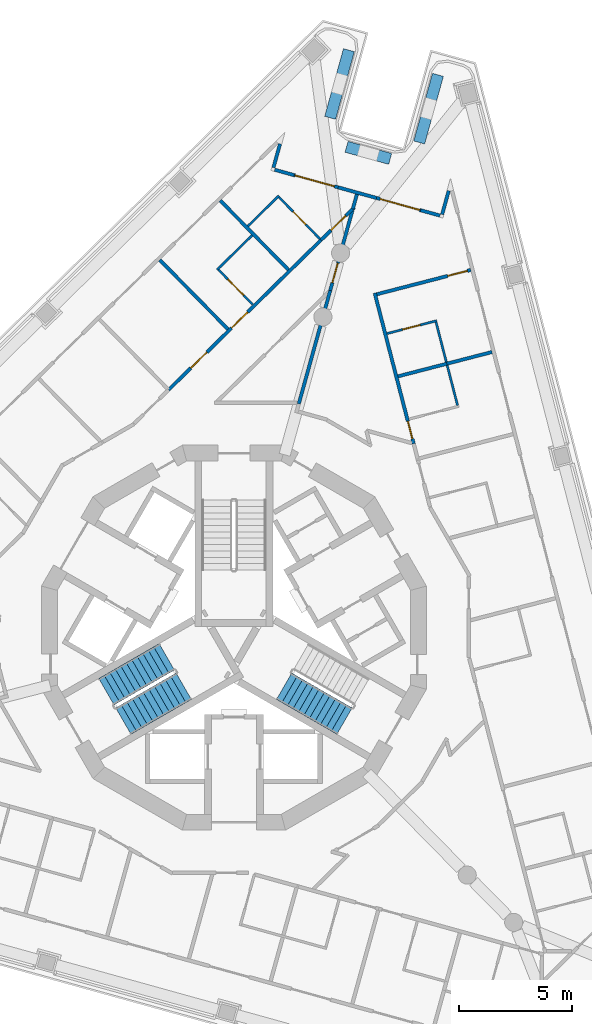
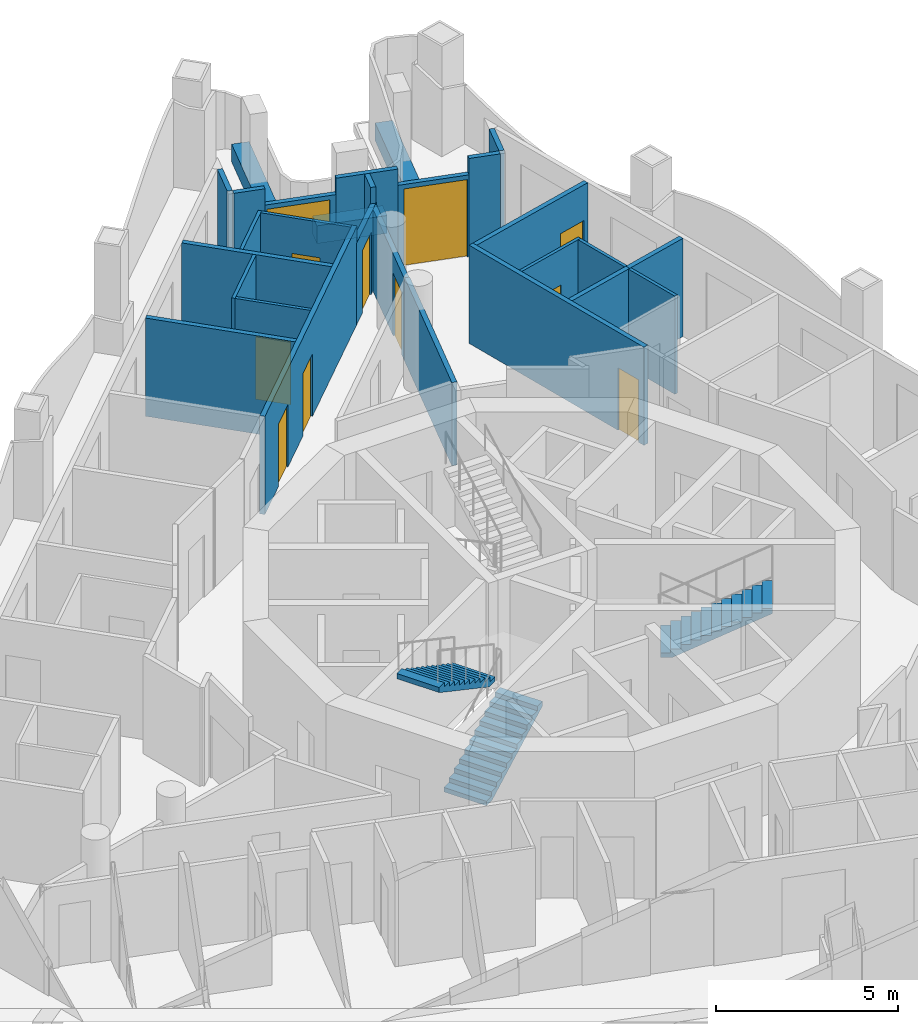
# One storey, part 8 of 15: 28 walls, 11 doors, 3 stair flights, 11 openings, 2 elements without a shape of their own.
"""IFC4 building model written with IfcOpenShell, lengths in metres."""

from ifc_helpers import new_model, si_unit, direction, frame, frame_2d, origin, place, context, subcontext, project, spatial, polyline, rectangle, outline, extrude, material, layer, layer_set, type_object, element, fill, aggregate, save


model = new_model("IFC4")

# Units and contexts
model_context = context("Model", 3, precision=1e-05, world=origin(), true_north=direction((0.0, 1.0)))
body_context = subcontext(model_context, "Body", "Model", "MODEL_VIEW")
ifc_project = project(units=[si_unit("LENGTHUNIT", "METRE"), si_unit("AREAUNIT", "SQUARE_METRE"), si_unit("VOLUMEUNIT", "CUBIC_METRE"), si_unit("PLANEANGLEUNIT", "RADIAN"), si_unit("MASSUNIT", "GRAM", prefix="KILO")], contexts=[model_context])

# Site, building, storey
site_placement = place(None, origin())
site = spatial("IfcSite", under=ifc_project, at=site_placement, CompositionType="ELEMENT")
building_placement = place(site_placement, origin())
building = spatial("IfcBuilding", under=site, at=building_placement, Name="Trine Commons Tower", CompositionType="ELEMENT")
storey_placement = place(building_placement, frame((0.0, 0.0, 256.5)))
storey = spatial("IfcBuildingStorey", under=building, at=storey_placement, Name="L67", CompositionType="ELEMENT", Elevation=256.5)

# Walls
ifc_material_1 = material(Name="Aluminium-framed insulated wall panel", Category="aluminium")
ifc_layer_1 = layer(ifc_material_1, 0.14990234375)
ifc_layer_set_1 = layer_set([ifc_layer_1], Name="Aluminium-framed insulated wall panel")
wall_type_1 = type_object("IfcWallType", Name="Glazed frame wall 150, EI 60", PredefinedType="SOLIDWALL", material=ifc_layer_set_1)
wall_1_placement = place(storey_placement, frame((82.07470703125, 84.444091796875, 0.0), z_axis=(0.0, 0.0, 1.0), x_axis=(-0.267185113528, -0.963645222636, 0.0)))
element("IfcWall", 1, at=wall_1_placement, inside=storey, type_object=wall_type_1, Name="Glazed frame wall R2", PredefinedType="SOLIDWALL", context=body_context, shape_type="SweptSolid", body=[
    extrude(outline(polyline([(0.1494140625, 0.074951171875), (0.1494140625, -0.074951171875), (1.235107421875, -0.074951171875), (1.235107421875, 0.074951171875), (0.1494140625, 0.074951171875)])), origin(), (0.0, 0.0, 1.0), 3.300048828125),
])
wall_2_placement = place(storey_placement, frame((81.69091796875, 83.19091796875, 0.0), z_axis=(0.0, 0.0, 1.0), x_axis=(0.963668166343, -0.267102349627, 0.0)))
element("IfcWall", 2, at=wall_2_placement, inside=storey, type_object=wall_type_1, Name="Glazed frame wall P1.1", PredefinedType="SOLIDWALL", context=body_context, shape_type="SweptSolid", body=[
    extrude(outline(polyline([(0.110107421875, -0.074951171875), (1.0, -0.074951171875), (1.0, 0.074951171875), (0.110107421875, 0.074951171875), (0.110107421875, -0.074951171875)])), origin(), (0.0, 0.0, 1.0), 3.300048828125),
])

# Wall, opening, door
wall_3_placement = place(storey_placement, frame((82.654541015625, 82.923828125, 0.0), z_axis=(0.0, 0.0, 1.0), x_axis=(0.963623378646, -0.267263884816, 0.0)))
wall_3 = element("IfcWall", 3, at=wall_3_placement, inside=storey, type_object=wall_type_1, Name="Glazed frame wall P1.2", PredefinedType="SOLIDWALL", context=body_context, shape_type="SweptSolid", body=[
    extrude(outline(polyline([(0.0, -0.074951171875), (2.021484375, -0.074951171875), (2.021484375, 0.074951171875), (0.0, 0.074951171875), (0.0, -0.074951171875)])), origin(), (0.0, 0.0, 1.0), 2.75),
])
opening_1_placement = place(wall_3_placement, frame((0.050048828125, 0.0, 0.0)))
opening_1 = element("IfcOpeningElement", 4, at=opening_1_placement, cuts=wall_3, Name="Opening BD-7P1-01", PredefinedType="OPENING", context=body_context, shape_type="SweptSolid", body=[
    extrude(rectangle(XDim=1.800048828125, YDim=2.60009765625, at=frame_2d((0.89990234375, 1.300048828125))), frame((0.0, 0.0849609375, 0.0), z_axis=(0.0, -1.0, 0.0), x_axis=(1.0, 0.0, 0.0)), (0.0, 0.0, 1.0), 0.169921875),
])
ifc_material_2 = material(Name="Anodised aluminium frame with double glazing", Category="aluminium")
door_type_1 = type_object("IfcDoorType", Name="Sliding loggia door 1800x2600", OperationType="SLIDING_TO_LEFT", PredefinedType="DOOR", material=ifc_material_2)
door_1_placement = place(opening_1_placement, origin())
door_1 = element("IfcDoor", 5, at=door_1_placement, inside=storey, type_object=door_type_1, Name="Loggia door P1 1", OperationType="SLIDING_TO_LEFT", OverallHeight=2.60009765625, OverallWidth=1.800048828125, PredefinedType="DOOR", context=body_context, shape_type="SweptSolid", body=[
    extrude(rectangle(XDim=1.800048828125, YDim=2.60009765625, at=frame_2d((0.89990234375, 1.300048828125))), frame((0.0, 0.02490234375, 0.0), z_axis=(0.0, -1.0, 0.0), x_axis=(1.0, 0.0, 0.0)), (0.0, 0.0, 1.0), 0.050048828125),
])
fill(opening_1, door_1)

# Wall
wall_4_placement = place(storey_placement, frame((84.6025390625, 82.383544921875, 0.0), z_axis=(0.0, 0.0, 1.0), x_axis=(0.963649164221, -0.267170897174, 0.0)))
element("IfcWall", 6, at=wall_4_placement, inside=storey, type_object=wall_type_1, Name="Glazed frame wall P1.3", PredefinedType="SOLIDWALL", context=body_context, shape_type="SweptSolid", body=[
    extrude(outline(polyline([(0.0, -0.074951171875), (1.757080078125, -0.074951171875), (1.757080078125, 0.074951171875), (0.0, 0.074951171875), (0.0, -0.074951171875)])), origin(), (0.0, 0.0, 1.0), 3.300048828125),
])

# Wall, opening, door
wall_5_placement = place(storey_placement, frame((86.2958984375, 81.9140625, 0.0), z_axis=(0.0, 0.0, 1.0), x_axis=(0.963614750545, -0.267294991596, 0.0)))
wall_5 = element("IfcWall", 7, at=wall_5_placement, inside=storey, type_object=wall_type_1, Name="Glazed frame wall P1.4", PredefinedType="SOLIDWALL", context=body_context, shape_type="SweptSolid", body=[
    extrude(outline(polyline([(0.0, -0.074951171875), (2.021484375, -0.074951171875), (2.021484375, 0.074951171875), (0.0, 0.074951171875), (0.0, -0.074951171875)])), origin(), (0.0, 0.0, 1.0), 2.75),
])
opening_2_placement = place(wall_5_placement, frame((0.17138671875, 0.0, 0.0)))
opening_2 = element("IfcOpeningElement", 8, at=opening_2_placement, cuts=wall_5, Name="Opening BD-7P1-02", PredefinedType="OPENING", context=body_context, shape_type="SweptSolid", body=[
    extrude(rectangle(XDim=1.800048828125, YDim=2.60009765625, at=frame_2d((0.89990234375, 1.300048828125))), frame((0.0, 0.0849609375, 0.0), z_axis=(0.0, -1.0, 0.0), x_axis=(1.0, 0.0, 0.0)), (0.0, 0.0, 1.0), 0.169921875),
])
door_2_placement = place(opening_2_placement, origin())
door_2 = element("IfcDoor", 9, at=door_2_placement, inside=storey, type_object=door_type_1, Name="Loggia door P1 2", OperationType="SLIDING_TO_LEFT", OverallHeight=2.60009765625, OverallWidth=1.800048828125, PredefinedType="DOOR", context=body_context, shape_type="SweptSolid", body=[
    extrude(rectangle(XDim=1.800048828125, YDim=2.60009765625, at=frame_2d((0.89990234375, 1.300048828125))), frame((0.0, 0.02490234375, 0.0), z_axis=(0.0, -1.0, 0.0), x_axis=(1.0, 0.0, 0.0)), (0.0, 0.0, 1.0), 0.050048828125),
])
fill(opening_2, door_2)

# Walls
wall_6_placement = place(storey_placement, frame((88.24365234375, 81.373779296875, 0.0), z_axis=(0.0, 0.0, 1.0), x_axis=(0.963668166343, -0.267102349627, 0.0)))
element("IfcWall", 10, at=wall_6_placement, inside=storey, type_object=wall_type_1, Name="Glazed frame wall P1.5", PredefinedType="SOLIDWALL", context=body_context, shape_type="SweptSolid", body=[
    extrude(outline(polyline([(0.889892578125, 0.074951171875), (0.0, 0.074951171875), (0.0, -0.074951171875), (0.889892578125, -0.074951171875), (0.889892578125, 0.074951171875)])), origin(), (0.0, 0.0, 1.0), 3.300048828125),
])
wall_7_placement = place(storey_placement, frame((89.164306640625, 81.082275390625, 0.0), z_axis=(0.0, 0.0, 1.0), x_axis=(0.267185113528, 0.963645222636, 0.0)))
element("IfcWall", 11, at=wall_7_placement, inside=storey, type_object=wall_type_1, Name="Glazed frame wall R4", PredefinedType="SOLIDWALL", context=body_context, shape_type="SweptSolid", body=[
    extrude(outline(polyline([(0.110107421875, 0.074951171875), (0.110107421875, -0.074951171875), (1.19580078125, -0.074951171875), (1.19580078125, 0.074951171875), (0.110107421875, 0.074951171875)])), origin(), (0.0, 0.0, 1.0), 3.300048828125),
])
ifc_material_3 = material(Name="Planter trough, precast concrete C40/50", Category="concrete")
ifc_layer_2 = layer(ifc_material_3, 0.5)
ifc_layer_set_2 = layer_set([ifc_layer_2], Name="Planter trough, precast concrete C40/50")
wall_type_2 = type_object("IfcWallType", Name="Planter trough 500x600", PredefinedType="PARAPET", material=ifc_layer_set_2)
wall_8_placement = place(storey_placement, frame((85.077392578125, 88.44189453125, 0.0), z_axis=(0.0, 0.0, 1.0), x_axis=(-0.267286412249, -0.96361713031, 0.0)))
element("IfcWall", 12, at=wall_8_placement, inside=storey, type_object=wall_type_2, Name="Planter 4", PredefinedType="PARAPET", context=body_context, shape_type="SweptSolid", body=[
    extrude(rectangle(XDim=3.10009765625, YDim=0.5, at=frame_2d((1.550048828125, 0.0))), origin(), (0.0, 0.0, 1.0), 0.60009765625),
])
wall_9_placement = place(storey_placement, frame((84.97314453125, 84.174560546875, 0.0), z_axis=(0.0, 0.0, 1.0), x_axis=(0.963636738571, -0.267215710759, 0.0)))
element("IfcWall", 13, at=wall_9_placement, inside=storey, type_object=wall_type_2, Name="Planter 5", PredefinedType="PARAPET", context=body_context, shape_type="SweptSolid", body=[
    extrude(rectangle(XDim=2.0, YDim=0.5, at=frame_2d((1.0, 0.0))), origin(), (0.0, 0.0, 1.0), 0.60009765625),
])
wall_10_placement = place(storey_placement, frame((88.1806640625, 84.364501953125, 0.0), z_axis=(0.0, 0.0, 1.0), x_axis=(0.267213283561, 0.963637411628, 0.0)))
element("IfcWall", 14, at=wall_10_placement, inside=storey, type_object=wall_type_2, Name="Planter 6", PredefinedType="PARAPET", context=body_context, shape_type="SweptSolid", body=[
    extrude(rectangle(XDim=3.10009765625, YDim=0.5, at=frame_2d((1.550048828125, 0.0))), origin(), (0.0, 0.0, 1.0), 0.60009765625),
])
ifc_material_4 = material(Name="Gypsum plasterboard on steel stud", Category="steel")
ifc_layer_3 = layer(ifc_material_4, 0.14990234375)
ifc_layer_set_3 = layer_set([ifc_layer_3], Name="Gypsum plasterboard on steel stud")
wall_type_3 = type_object("IfcWallType", Name="Unit and corridor wall 150 mm, EI 60", PredefinedType="PARTITIONING", material=ifc_layer_set_3)
wall_11_placement = place(storey_placement, frame((76.72998046875, 79.177490234375, 0.0), z_axis=(0.0, 0.0, 1.0), x_axis=(0.70095501421, -0.713205487958, 0.0)))
element("IfcWall", 15, at=wall_11_placement, inside=storey, type_object=wall_type_3, Name="Partition 049", PredefinedType="PARTITIONING", context=body_context, shape_type="SweptSolid", body=[
    extrude(rectangle(XDim=4.28466796875, YDim=0.14990234375, at=frame_2d((2.142333984375, 0.0))), origin(), (0.0, 0.0, 1.0), 3.300048828125),
])

# Wall, openings, doors
wall_12_placement = place(storey_placement, frame((77.114013671875, 73.44189453125, 0.0), z_axis=(0.0, 0.0, 1.0), x_axis=(0.713226576119, 0.70093355685, 0.0)))
wall_12 = element("IfcWall", 16, at=wall_12_placement, inside=storey, type_object=wall_type_3, Name="Partition 050", PredefinedType="PARTITIONING", context=body_context, shape_type="SweptSolid", body=[
    extrude(rectangle(XDim=9.4931640625, YDim=0.14990234375, at=frame_2d((4.74658203125, 0.0))), origin(), (0.0, 0.0, 1.0), 3.300048828125),
])
opening_3_placement = place(wall_12_placement, frame((1.375, 0.0, 0.0)))
opening_3 = element("IfcOpeningElement", 17, at=opening_3_placement, cuts=wall_12, Name="Opening D-7C08", PredefinedType="OPENING", context=body_context, shape_type="SweptSolid", body=[
    extrude(rectangle(XDim=1.0, YDim=2.10009765625, at=frame_2d((0.5, 1.050048828125))), frame((0.0, 0.0849609375, 0.0), z_axis=(0.0, -1.0, 0.0), x_axis=(1.0, 0.0, 0.0)), (0.0, 0.0, 1.0), 0.169921875),
])
opening_4_placement = place(wall_12_placement, frame((3.896484375, 0.0, 0.0)))
opening_4 = element("IfcOpeningElement", 18, at=opening_4_placement, cuts=wall_12, Name="Opening D-7C09", PredefinedType="OPENING", context=body_context, shape_type="SweptSolid", body=[
    extrude(rectangle(XDim=1.0, YDim=2.10009765625, at=frame_2d((0.5, 1.050048828125))), frame((0.0, 0.0849609375, 0.0), z_axis=(0.0, -1.0, 0.0), x_axis=(1.0, 0.0, 0.0)), (0.0, 0.0, 1.0), 0.169921875),
])
ifc_material_5 = material(Name="Painted timber", Category="wood")
door_type_2 = type_object("IfcDoorType", Name="Amenity room door 1000 x 2100, NOT RATED", OperationType="NOTDEFINED", PredefinedType="DOOR", material=ifc_material_5)
door_3_placement = place(opening_3_placement, origin())
door_3 = element("IfcDoor", 19, at=door_3_placement, inside=storey, type_object=door_type_2, Name="Door D-7C08", OperationType="SINGLE_SWING_LEFT", OverallHeight=2.10009765625, OverallWidth=1.0, PredefinedType="DOOR", context=body_context, shape_type="SweptSolid", body=[
    extrude(rectangle(XDim=1.0, YDim=2.10009765625, at=frame_2d((0.5, 1.050048828125))), frame((0.0, 0.02490234375, 0.0), z_axis=(0.0, -1.0, 0.0), x_axis=(1.0, 0.0, 0.0)), (0.0, 0.0, 1.0), 0.050048828125),
])
fill(opening_3, door_3)
ifc_material_6 = material(Name="Timber fire door set", Category="wood")
door_type_3 = type_object("IfcDoorType", Name="Bedroom door 1000 x 2100, FD30S", OperationType="NOTDEFINED", PredefinedType="DOOR", material=ifc_material_6)
door_4_placement = place(opening_4_placement, origin())
door_4 = element("IfcDoor", 20, at=door_4_placement, inside=storey, type_object=door_type_3, Name="Door D-7C09", OperationType="SINGLE_SWING_LEFT", OverallHeight=2.10009765625, OverallWidth=1.0, PredefinedType="DOOR", context=body_context, shape_type="SweptSolid", body=[
    extrude(rectangle(XDim=1.0, YDim=2.10009765625, at=frame_2d((0.5, 1.050048828125))), frame((0.0, 0.02490234375, 0.0), z_axis=(0.0, -1.0, 0.0), x_axis=(1.0, 0.0, 0.0)), (0.0, 0.0, 1.0), 0.050048828125),
])
fill(opening_4, door_4)

# Walls
wall_13_placement = place(storey_placement, frame((79.39892578125, 81.801513671875, 0.0), z_axis=(0.0, 0.0, 1.0), x_axis=(0.70095501421, -0.713205487958, 0.0)))
element("IfcWall", 21, at=wall_13_placement, inside=storey, type_object=wall_type_3, Name="Partition 057", PredefinedType="PARTITIONING", context=body_context, shape_type="SweptSolid", body=[
    extrude(rectangle(XDim=4.28466796875, YDim=0.14990234375, at=frame_2d((2.142333984375, 0.0))), origin(), (0.0, 0.0, 1.0), 3.300048828125),
])
wall_14_placement = place(storey_placement, frame((82.863037109375, 72.822998046875, 0.0), z_axis=(0.0, 0.0, 1.0), x_axis=(0.267297315726, 0.963614105857, 0.0)))
element("IfcWall", 22, at=wall_14_placement, inside=storey, type_object=wall_type_3, Name="Partition 068", PredefinedType="PARTITIONING", context=body_context, shape_type="SweptSolid", body=[
    extrude(rectangle(XDim=5.196044921875, YDim=0.14990234375, at=frame_2d((2.59814453125, 0.0))), origin(), (0.0, 0.0, 1.0), 2.800048828125),
])

# Wall, opening, door
wall_15_placement = place(storey_placement, frame((83.843017578125, 80.054931640625, 0.0), z_axis=(0.0, 0.0, 1.0), x_axis=(0.713089099399, 0.70107341721, 0.0)))
wall_15 = element("IfcWall", 23, at=wall_15_placement, inside=storey, type_object=wall_type_3, Name="Partition 070", PredefinedType="PARTITIONING", context=body_context, shape_type="SweptSolid", body=[
    extrude(rectangle(XDim=2.05224609375, YDim=0.14990234375, at=frame_2d((1.026123046875, 0.0))), origin(), (0.0, 0.0, 1.0), 2.75),
])
opening_5_placement = place(wall_15_placement, frame((0.627685546875, 0.0, 0.0)))
opening_5 = element("IfcOpeningElement", 24, at=opening_5_placement, cuts=wall_15, Name="Opening D-7C10", PredefinedType="OPENING", context=body_context, shape_type="SweptSolid", body=[
    extrude(rectangle(XDim=0.89990234375, YDim=2.10009765625, at=frame_2d((0.449951171875, 1.050048828125))), frame((0.0, 0.0849609375, 0.0), z_axis=(0.0, -1.0, 0.0), x_axis=(1.0, 0.0, 0.0)), (0.0, 0.0, 1.0), 0.169921875),
])
door_type_4 = type_object("IfcDoorType", Name="Bedroom door 900 x 2100, FD30S", OperationType="NOTDEFINED", PredefinedType="DOOR", material=ifc_material_6)
door_5_placement = place(opening_5_placement, origin())
door_5 = element("IfcDoor", 25, at=door_5_placement, inside=storey, type_object=door_type_4, Name="Door D-7C10", OperationType="SINGLE_SWING_RIGHT", OverallHeight=2.10009765625, OverallWidth=0.89990234375, PredefinedType="DOOR", context=body_context, shape_type="SweptSolid", body=[
    extrude(rectangle(XDim=0.89990234375, YDim=2.10009765625, at=frame_2d((0.449951171875, 1.050048828125))), frame((0.0, 0.02490234375, 0.0), z_axis=(0.0, -1.0, 0.0), x_axis=(1.0, 0.0, 0.0)), (0.0, 0.0, 1.0), 0.050048828125),
])
fill(opening_5, door_5)

wall_16_placement = place(storey_placement, frame((84.25, 77.826904296875, 0.0), z_axis=(0.0, 0.0, 1.0), x_axis=(0.267414329718, 0.963581639645, 0.0)))
wall_16 = element("IfcWall", 26, at=wall_16_placement, inside=storey, type_object=wall_type_3, Name="Partition 073", PredefinedType="PARTITIONING", context=body_context, shape_type="SweptSolid", body=[
    extrude(rectangle(XDim=3.675537109375, YDim=0.14990234375, at=frame_2d((1.837890625, 0.0))), origin(), (0.0, 0.0, 1.0), 2.75),
])
opening_6_placement = place(wall_16_placement, frame((0.357421875, 0.0, 0.0)))
opening_6 = element("IfcOpeningElement", 27, at=opening_6_placement, cuts=wall_16, Name="Opening D-7C01", PredefinedType="OPENING", context=body_context, shape_type="SweptSolid", body=[
    extrude(rectangle(XDim=0.89990234375, YDim=2.10009765625, at=frame_2d((0.449951171875, 1.050048828125))), frame((0.0, 0.0849609375, 0.0), z_axis=(0.0, -1.0, 0.0), x_axis=(1.0, 0.0, 0.0)), (0.0, 0.0, 1.0), 0.169921875),
])
door_type_5 = type_object("IfcDoorType", Name="Cluster entrance door 900 x 2100, FD30S", OperationType="NOTDEFINED", PredefinedType="DOOR", material=ifc_material_6)
door_6_placement = place(opening_6_placement, frame((0.89990234375, 0.0, 0.0), z_axis=(0.0, 0.0, 1.0), x_axis=(-1.0, 0.0, 0.0)))
door_6 = element("IfcDoor", 28, at=door_6_placement, inside=storey, type_object=door_type_5, Name="Door D-7C01", OperationType="SINGLE_SWING_RIGHT", OverallHeight=2.10009765625, OverallWidth=0.89990234375, PredefinedType="DOOR", context=body_context, shape_type="SweptSolid", body=[
    extrude(rectangle(XDim=0.89990234375, YDim=2.10009765625, at=frame_2d((0.449951171875, 1.050048828125))), frame((0.0, 0.02490234375, 0.0), z_axis=(0.0, -1.0, 0.0), x_axis=(1.0, 0.0, 0.0)), (0.0, 0.0, 1.0), 0.050048828125),
])
fill(opening_6, door_6)

# Wall
wall_17_placement = place(storey_placement, frame((85.25, 81.429931640625, 0.0), z_axis=(0.0, 0.0, 1.0), x_axis=(0.267118275652, 0.963663751945, 0.0)))
element("IfcWall", 29, at=wall_17_placement, inside=storey, type_object=wall_type_3, Name="Partition 078", PredefinedType="PARTITIONING", context=body_context, shape_type="SweptSolid", body=[
    extrude(rectangle(XDim=0.6708984375, YDim=0.14990234375, at=frame_2d((0.33544921875, 0.0))), origin(), (0.0, 0.0, 1.0), 3.300048828125),
])

# Wall, opening, door
wall_18_placement = place(storey_placement, frame((86.21630859375, 77.716552734375, 0.0), z_axis=(0.0, 0.0, 1.0), x_axis=(0.250346637717, -0.968156268886, 0.0)))
wall_18 = element("IfcWall", 30, at=wall_18_placement, inside=storey, type_object=wall_type_3, Name="Partition 081", PredefinedType="PARTITIONING", context=body_context, shape_type="SweptSolid", body=[
    extrude(rectangle(XDim=6.869384765625, YDim=0.14990234375, at=frame_2d((3.4345703125, 0.0))), origin(), (0.0, 0.0, 1.0), 3.300048828125),
])
opening_7_placement = place(wall_18_placement, frame((5.84814453125, 0.0, 0.0)))
opening_7 = element("IfcOpeningElement", 31, at=opening_7_placement, cuts=wall_18, Name="Opening D-7C12", PredefinedType="OPENING", context=body_context, shape_type="SweptSolid", body=[
    extrude(rectangle(XDim=0.800048828125, YDim=2.10009765625, at=frame_2d((0.39990234375, 1.050048828125))), frame((0.0, 0.0849609375, 0.0), z_axis=(0.0, -1.0, 0.0), x_axis=(1.0, 0.0, 0.0)), (0.0, 0.0, 1.0), 0.169921875),
])
door_type_6 = type_object("IfcDoorType", Name="Bedroom door 800 x 2100, FD30S", OperationType="NOTDEFINED", PredefinedType="DOOR", material=ifc_material_6)
door_7_placement = place(opening_7_placement, origin())
door_7 = element("IfcDoor", 32, at=door_7_placement, inside=storey, type_object=door_type_6, Name="Door D-7C12", OperationType="SINGLE_SWING_RIGHT", OverallHeight=2.10009765625, OverallWidth=0.800048828125, PredefinedType="DOOR", context=body_context, shape_type="SweptSolid", body=[
    extrude(rectangle(XDim=0.800048828125, YDim=2.10009765625, at=frame_2d((0.39990234375, 1.050048828125))), frame((0.0, 0.02490234375, 0.0), z_axis=(0.0, -1.0, 0.0), x_axis=(1.0, 0.0, 0.0)), (0.0, 0.0, 1.0), 0.050048828125),
])
fill(opening_7, door_7)

wall_19_placement = place(storey_placement, frame((86.3076171875, 77.662841796875, 0.0), z_axis=(0.0, 0.0, 1.0), x_axis=(0.96817048695, 0.250291646282, 0.0)))
wall_19 = element("IfcWall", 33, at=wall_19_placement, inside=storey, type_object=wall_type_3, Name="Partition 082", PredefinedType="PARTITIONING", context=body_context, shape_type="SweptSolid", body=[
    extrude(rectangle(XDim=4.2841796875, YDim=0.14990234375, at=frame_2d((2.14208984375, 0.0))), origin(), (0.0, 0.0, 1.0), 3.300048828125),
])
opening_8_placement = place(wall_19_placement, frame((3.23388671875, 0.0, 0.0)))
opening_8 = element("IfcOpeningElement", 34, at=opening_8_placement, cuts=wall_19, Name="Opening D-7C11", PredefinedType="OPENING", context=body_context, shape_type="SweptSolid", body=[
    extrude(rectangle(XDim=0.89990234375, YDim=2.10009765625, at=frame_2d((0.449951171875, 1.050048828125))), frame((0.0, 0.0849609375, 0.0), z_axis=(0.0, -1.0, 0.0), x_axis=(1.0, 0.0, 0.0)), (0.0, 0.0, 1.0), 0.169921875),
])
door_8_placement = place(opening_8_placement, frame((0.89990234375, 0.0, 0.0), z_axis=(0.0, 0.0, 1.0), x_axis=(-1.0, 0.0, 0.0)))
door_8 = element("IfcDoor", 35, at=door_8_placement, inside=storey, type_object=door_type_4, Name="Door D-7C11", OperationType="SINGLE_SWING_LEFT", OverallHeight=2.10009765625, OverallWidth=0.89990234375, PredefinedType="DOOR", context=body_context, shape_type="SweptSolid", body=[
    extrude(rectangle(XDim=0.89990234375, YDim=2.10009765625, at=frame_2d((0.449951171875, 1.050048828125))), frame((0.0, 0.02490234375, 0.0), z_axis=(0.0, -1.0, 0.0), x_axis=(1.0, 0.0, 0.0)), (0.0, 0.0, 1.0), 0.050048828125),
])
fill(opening_8, door_8)

# Walls
wall_20_placement = place(storey_placement, frame((87.24462890625, 74.038818359375, 0.0), z_axis=(0.0, 0.0, 1.0), x_axis=(0.968121216345, 0.250482155975, 0.0)))
element("IfcWall", 36, at=wall_20_placement, inside=storey, type_object=wall_type_3, Name="Partition 086", PredefinedType="PARTITIONING", context=body_context, shape_type="SweptSolid", body=[
    extrude(rectangle(XDim=2.22412109375, YDim=0.14990234375, at=frame_2d((1.112060546875, 0.0))), origin(), (0.0, 0.0, 1.0), 3.300048828125),
])
wall_21_placement = place(storey_placement, frame((89.39794921875, 74.595947265625, 0.0), z_axis=(0.0, 0.0, 1.0), x_axis=(0.968138494735, 0.250415364966, 0.0)))
element("IfcWall", 37, at=wall_21_placement, inside=storey, type_object=wall_type_3, Name="Partition 104", PredefinedType="PARTITIONING", context=body_context, shape_type="SweptSolid", body=[
    extrude(rectangle(XDim=2.06103515625, YDim=0.14990234375, at=frame_2d((1.030517578125, 0.0))), origin(), (0.0, 0.0, 1.0), 3.300048828125),
])
ifc_layer_4 = layer(ifc_material_4, 0.10009765625)
ifc_layer_set_4 = layer_set([ifc_layer_4], Name="Gypsum plasterboard on steel stud")
wall_type_4 = type_object("IfcWallType", Name="Unit partition 100 mm, no rating", PredefinedType="PARTITIONING", material=ifc_layer_set_4)
wall_22_placement = place(storey_placement, frame((79.252197265625, 78.740966796875, 0.0), z_axis=(0.0, 0.0, 1.0), x_axis=(0.713253726978, 0.700905928746, 0.0)))
element("IfcWall", 38, at=wall_22_placement, inside=storey, type_object=wall_type_4, Name="Partition 055", PredefinedType="PARTITIONING", context=body_context, shape_type="SweptSolid", body=[
    extrude(rectangle(XDim=2.1748046875, YDim=0.10009765625, at=frame_2d((1.08740234375, 0.0))), origin(), (0.0, 0.0, 1.0), 3.300048828125),
])

# Wall, opening, door
wall_23_placement = place(storey_placement, frame((79.322998046875, 78.740234375, 0.0), z_axis=(0.0, 0.0, 1.0), x_axis=(0.701018971953, -0.713142623157, 0.0)))
wall_23 = element("IfcWall", 39, at=wall_23_placement, inside=storey, type_object=wall_type_4, Name="Partition 056", PredefinedType="PARTITIONING", context=body_context, shape_type="SweptSolid", body=[
    extrude(rectangle(XDim=2.15478515625, YDim=0.10009765625, at=frame_2d((1.077392578125, 0.0))), origin(), (0.0, 0.0, 1.0), 3.300048828125),
])
opening_9_placement = place(wall_23_placement, frame((0.577392578125, 0.0, 0.0)))
opening_9 = element("IfcOpeningElement", 40, at=opening_9_placement, cuts=wall_23, Name="Opening D-7C31", PredefinedType="OPENING", context=body_context, shape_type="SweptSolid", body=[
    extrude(rectangle(XDim=1.0, YDim=2.10009765625, at=frame_2d((0.5, 1.050048828125))), frame((0.0, 0.06005859375, 0.0), z_axis=(0.0, -1.0, 0.0), x_axis=(1.0, 0.0, 0.0)), (0.0, 0.0, 1.0), 0.1201171875),
])
door_type_7 = type_object("IfcDoorType", Name="Internal door 1000 x 2100, NOT RATED", OperationType="NOTDEFINED", PredefinedType="DOOR", material=ifc_material_5)
door_9_placement = place(opening_9_placement, frame((1.0, 0.0, 0.0), z_axis=(0.0, 0.0, 1.0), x_axis=(-1.0, 0.0, 0.0)))
door_9 = element("IfcDoor", 41, at=door_9_placement, inside=storey, type_object=door_type_7, Name="Door D-7C31", OperationType="SINGLE_SWING_RIGHT", OverallHeight=2.10009765625, OverallWidth=1.0, PredefinedType="DOOR", context=body_context, shape_type="SweptSolid", body=[
    extrude(rectangle(XDim=1.0, YDim=2.10009765625, at=frame_2d((0.5, 1.050048828125))), frame((0.0, 0.02490234375, 0.0), z_axis=(0.0, -1.0, 0.0), x_axis=(1.0, 0.0, 0.0)), (0.0, 0.0, 1.0), 0.050048828125),
])
fill(opening_9, door_9)

# Wall
wall_24_placement = place(storey_placement, frame((80.616455078125, 80.669677734375, 0.0), z_axis=(0.0, 0.0, 1.0), x_axis=(0.713293055377, 0.700865905257, 0.0)))
element("IfcWall", 42, at=wall_24_placement, inside=storey, type_object=wall_type_4, Name="Partition 060", PredefinedType="PARTITIONING", context=body_context, shape_type="SweptSolid", body=[
    extrude(rectangle(XDim=1.92529296875, YDim=0.10009765625, at=frame_2d((0.962646484375, 0.0))), origin(), (0.0, 0.0, 1.0), 3.300048828125),
])

# Wall, opening, door
wall_25_placement = place(storey_placement, frame((81.989013671875, 81.9482421875, 0.0), z_axis=(0.0, 0.0, 1.0), x_axis=(0.700820910795, -0.713337263146, 0.0)))
wall_25 = element("IfcWall", 43, at=wall_25_placement, inside=storey, type_object=wall_type_4, Name="Partition 063", PredefinedType="PARTITIONING", context=body_context, shape_type="SweptSolid", body=[
    extrude(rectangle(XDim=2.57470703125, YDim=0.10009765625, at=frame_2d((1.287353515625, 0.0))), origin(), (0.0, 0.0, 1.0), 3.300048828125),
])
opening_10_placement = place(wall_25_placement, frame((0.887451171875, 0.0, 0.0)))
opening_10 = element("IfcOpeningElement", 44, at=opening_10_placement, cuts=wall_25, Name="Opening D-7C32", PredefinedType="OPENING", context=body_context, shape_type="SweptSolid", body=[
    extrude(rectangle(XDim=0.800048828125, YDim=2.10009765625, at=frame_2d((0.39990234375, 1.050048828125))), frame((0.0, 0.06005859375, 0.0), z_axis=(0.0, -1.0, 0.0), x_axis=(1.0, 0.0, 0.0)), (0.0, 0.0, 1.0), 0.1201171875),
])
door_type_8 = type_object("IfcDoorType", Name="Internal door 800 x 2100, NOT RATED", OperationType="NOTDEFINED", PredefinedType="DOOR", material=ifc_material_5)
door_10_placement = place(opening_10_placement, origin())
door_10 = element("IfcDoor", 45, at=door_10_placement, inside=storey, type_object=door_type_8, Name="Door D-7C32", OperationType="SINGLE_SWING_LEFT", OverallHeight=2.10009765625, OverallWidth=0.800048828125, PredefinedType="DOOR", context=body_context, shape_type="SweptSolid", body=[
    extrude(rectangle(XDim=0.800048828125, YDim=2.10009765625, at=frame_2d((0.39990234375, 1.050048828125))), frame((0.0, 0.02490234375, 0.0), z_axis=(0.0, -1.0, 0.0), x_axis=(1.0, 0.0, 0.0)), (0.0, 0.0, 1.0), 0.050048828125),
])
fill(opening_10, door_10)

wall_26_placement = place(storey_placement, frame((86.756591796875, 75.9267578125, 0.0), z_axis=(0.0, 0.0, 1.0), x_axis=(0.968107869502, 0.25053373627, 0.0)))
wall_26 = element("IfcWall", 46, at=wall_26_placement, inside=storey, type_object=wall_type_4, Name="Partition 085", PredefinedType="PARTITIONING", context=body_context, shape_type="SweptSolid", body=[
    extrude(rectangle(XDim=2.2744140625, YDim=0.10009765625, at=frame_2d((1.13720703125, 0.0))), origin(), (0.0, 0.0, 1.0), 3.300048828125),
])
opening_11_placement = place(wall_26_placement, frame((0.712158203125, 0.0, 0.0)))
opening_11 = element("IfcOpeningElement", 47, at=opening_11_placement, cuts=wall_26, Name="Opening D-7C33", PredefinedType="OPENING", context=body_context, shape_type="SweptSolid", body=[
    extrude(rectangle(XDim=0.800048828125, YDim=2.10009765625, at=frame_2d((0.39990234375, 1.050048828125))), frame((0.0, 0.06005859375, 0.0), z_axis=(0.0, -1.0, 0.0), x_axis=(1.0, 0.0, 0.0)), (0.0, 0.0, 1.0), 0.1201171875),
])
door_11_placement = place(opening_11_placement, origin())
door_11 = element("IfcDoor", 48, at=door_11_placement, inside=storey, type_object=door_type_8, Name="Door D-7C33", OperationType="SINGLE_SWING_LEFT", OverallHeight=2.10009765625, OverallWidth=0.800048828125, PredefinedType="DOOR", context=body_context, shape_type="SweptSolid", body=[
    extrude(rectangle(XDim=0.800048828125, YDim=2.10009765625, at=frame_2d((0.39990234375, 1.050048828125))), frame((0.0, 0.02490234375, 0.0), z_axis=(0.0, -1.0, 0.0), x_axis=(1.0, 0.0, 0.0)), (0.0, 0.0, 1.0), 0.050048828125),
])
fill(opening_11, door_11)

# Walls
wall_27_placement = place(storey_placement, frame((88.922607421875, 76.435546875, 0.0), z_axis=(0.0, 0.0, 1.0), x_axis=(0.250177423801, -0.968200008583, 0.0)))
element("IfcWall", 49, at=wall_27_placement, inside=storey, type_object=wall_type_4, Name="Partition 098", PredefinedType="PARTITIONING", context=body_context, shape_type="SweptSolid", body=[
    extrude(rectangle(XDim=1.824951171875, YDim=0.10009765625, at=frame_2d((0.91259765625, 0.0))), origin(), (0.0, 0.0, 1.0), 3.300048828125),
])
wall_28_placement = place(storey_placement, frame((89.416748046875, 74.5234375, 0.0), z_axis=(0.0, 0.0, 1.0), x_axis=(0.250771850977, -0.968046217263, 0.0)))
element("IfcWall", 50, at=wall_28_placement, inside=storey, type_object=wall_type_4, Name="Partition 103", PredefinedType="PARTITIONING", context=body_context, shape_type="SweptSolid", body=[
    extrude(rectangle(XDim=1.825439453125, YDim=0.10009765625, at=frame_2d((0.91259765625, 0.0))), origin(), (0.0, 0.0, 1.0), 3.300048828125),
])

# Stair, stair flights
ifc_material_7 = material(Name="Concrete C50/60", Category="concrete")
stair_type = type_object("IfcStairType", Name="Exit stair, dog-leg, 24 risers of 150 mm", PredefinedType="HALF_TURN_STAIR", material=ifc_material_7)
stair_1_placement = place(storey_placement, origin())
stair_1 = element("IfcStair", 51, at=stair_1_placement, inside=storey, type_object=stair_type, Name="L67 Exit stair ST2C", PredefinedType="HALF_TURN_STAIR")
stair_flight_type = type_object("IfcStairFlightType", Name="Stair flight, 1350 wide, 12 risers of 150 mm", PredefinedType="STRAIGHT", material=ifc_material_7)
stair_flight_1_placement = place(storey_placement, frame((75.11767578125, 58.815185546875, 0.0), z_axis=(0.0, 0.0, 1.0), x_axis=(0.866025403784, 0.5, 0.0)))
stair_flight_1 = element("IfcStairFlight", 52, at=stair_flight_1_placement, type_object=stair_flight_type, Name="ST2C flight 1", NumberOfRisers=12, NumberOfTreads=11, PredefinedType="STRAIGHT", RiserHeight=0.15, TreadLength=0.28, context=body_context, shape_type="SweptSolid", body=[
    extrude(outline(polyline([(0.0, 0.0), (0.0, 0.14990234375), (0.280029296875, 0.14990234375), (0.280029296875, 0.300048828125), (0.56005859375, 0.300048828125), (0.56005859375, 0.449951171875), (0.840087890625, 0.449951171875), (0.840087890625, 0.60009765625), (1.1201171875, 0.60009765625), (1.1201171875, 0.75), (1.39990234375, 0.75), (1.39990234375, 0.89990234375), (1.679931640625, 0.89990234375), (1.679931640625, 1.050048828125), (1.9599609375, 1.050048828125), (1.9599609375, 1.199951171875), (2.239990234375, 1.199951171875), (2.239990234375, 1.35009765625), (2.52001953125, 1.35009765625), (2.52001953125, 1.5), (2.800048828125, 1.5), (2.800048828125, 1.64990234375), (3.080078125, 1.64990234375), (3.080078125, 1.800048828125), (3.080078125, 1.47998046875), (0.3173828125, 0.0), (0.0, 0.0)])), frame((0.0, 0.675048828125, 0.0), z_axis=(0.0, -1.0, 0.0), x_axis=(1.0, 0.0, 0.0)), (0.0, 0.0, 1.0), 1.35009765625),
])
stair_flight_2_placement = place(storey_placement, frame((77.03515625, 61.654296875, 1.800048828125), z_axis=(0.0, 0.0, 1.0), x_axis=(-0.866025403784, -0.5, 0.0)))
stair_flight_2 = element("IfcStairFlight", 53, at=stair_flight_2_placement, type_object=stair_flight_type, Name="ST2C flight 2", NumberOfRisers=12, NumberOfTreads=11, PredefinedType="STRAIGHT", RiserHeight=0.15, TreadLength=0.28, context=body_context, shape_type="SweptSolid", body=[
    extrude(outline(polyline([(0.0, 0.0), (0.0, 0.14990234375), (0.280029296875, 0.14990234375), (0.280029296875, 0.300048828125), (0.56005859375, 0.300048828125), (0.56005859375, 0.449951171875), (0.840087890625, 0.449951171875), (0.840087890625, 0.60009765625), (1.1201171875, 0.60009765625), (1.1201171875, 0.75), (1.39990234375, 0.75), (1.39990234375, 0.89990234375), (1.679931640625, 0.89990234375), (1.679931640625, 1.050048828125), (1.9599609375, 1.050048828125), (1.9599609375, 1.199951171875), (2.239990234375, 1.199951171875), (2.239990234375, 1.35009765625), (2.52001953125, 1.35009765625), (2.52001953125, 1.5), (2.800048828125, 1.5), (2.800048828125, 1.64990234375), (3.080078125, 1.64990234375), (3.080078125, 1.800048828125), (3.080078125, 1.47998046875), (0.3173828125, 0.0), (0.0, 0.0)])), frame((0.0, 0.675048828125, 0.0), z_axis=(0.0, -1.0, 0.0), x_axis=(1.0, 0.0, 0.0)), (0.0, 0.0, 1.0), 1.35009765625),
])
aggregate(stair_1, [stair_flight_1, stair_flight_2])

# Stair, stair flight
stair_2_placement = place(storey_placement, origin())
stair_2 = element("IfcStair", 54, at=stair_2_placement, inside=storey, type_object=stair_type, Name="L67 Exit stair ST3C", PredefinedType="HALF_TURN_STAIR")
stair_flight_3_placement = place(storey_placement, frame((82.21484375, 60.355224609375, 1.800048828125), z_axis=(0.0, 0.0, 1.0), x_axis=(0.866025403784, -0.5, 0.0)))
stair_flight_3 = element("IfcStairFlight", 55, at=stair_flight_3_placement, type_object=stair_flight_type, Name="ST3C flight 2", NumberOfRisers=12, NumberOfTreads=11, PredefinedType="STRAIGHT", RiserHeight=0.15, TreadLength=0.28, context=body_context, shape_type="SweptSolid", body=[
    extrude(outline(polyline([(0.0, 0.0), (0.0, 0.14990234375), (0.280029296875, 0.14990234375), (0.280029296875, 0.300048828125), (0.56005859375, 0.300048828125), (0.56005859375, 0.449951171875), (0.840087890625, 0.449951171875), (0.840087890625, 0.60009765625), (1.1201171875, 0.60009765625), (1.1201171875, 0.75), (1.39990234375, 0.75), (1.39990234375, 0.89990234375), (1.679931640625, 0.89990234375), (1.679931640625, 1.050048828125), (1.9599609375, 1.050048828125), (1.9599609375, 1.199951171875), (2.239990234375, 1.199951171875), (2.239990234375, 1.35009765625), (2.52001953125, 1.35009765625), (2.52001953125, 1.5), (2.800048828125, 1.5), (2.800048828125, 1.64990234375), (3.080078125, 1.64990234375), (3.080078125, 1.800048828125), (3.080078125, 1.47998046875), (0.3173828125, 0.0), (0.0, 0.0)])), frame((0.0, 0.675048828125, 0.0), z_axis=(0.0, -1.0, 0.0), x_axis=(1.0, 0.0, 0.0)), (0.0, 0.0, 1.0), 1.35009765625),
])
aggregate(stair_2, [stair_flight_3])

save(model, "model.ifc")
